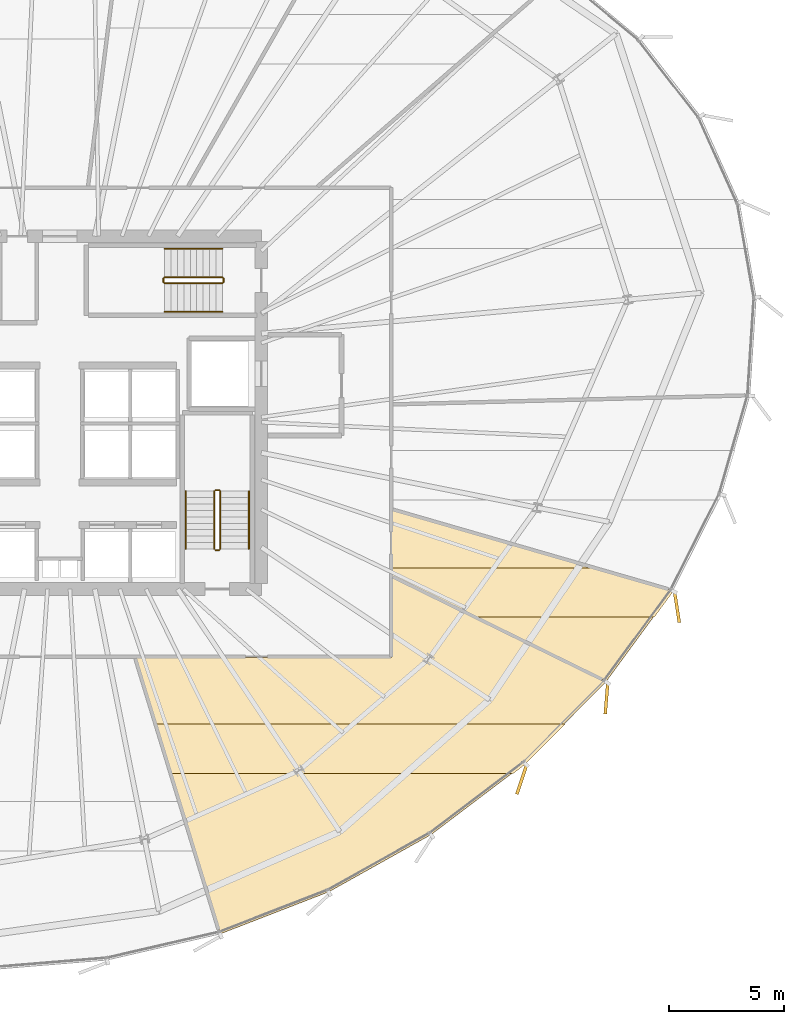
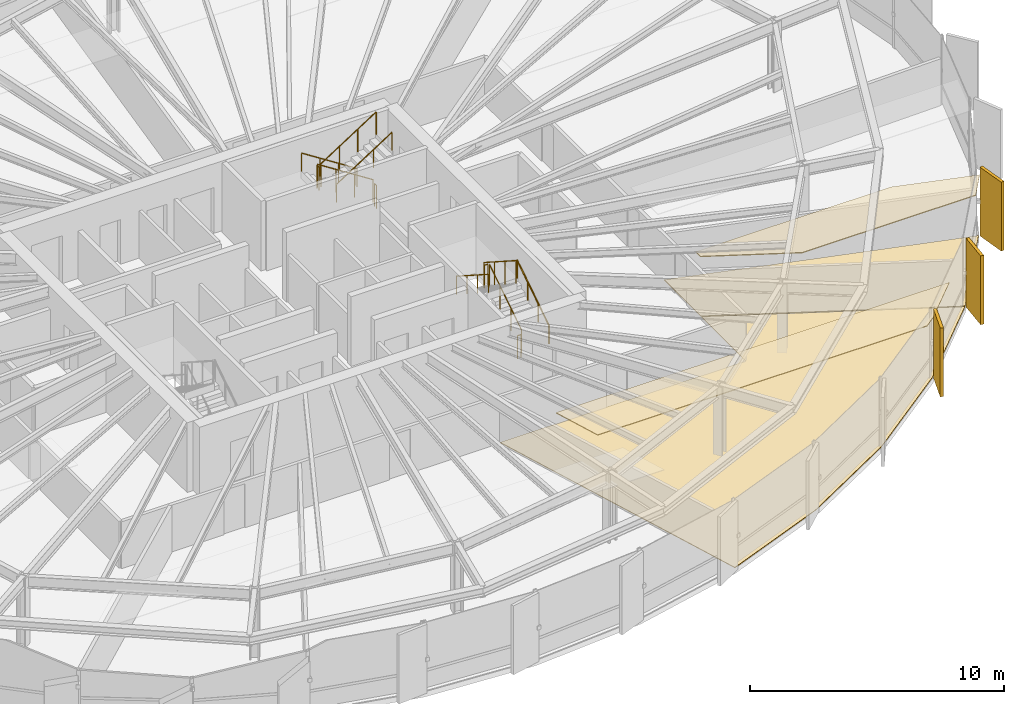
# One storey, part 34 of 35: 12 railings, 7 coverings.
"""IFC4 building model written with IfcOpenShell, lengths in metres."""

from ifc_helpers import new_model, si_unit, direction, frame, origin, origin_2d, place, context, subcontext, project, spatial, polyline, rectangle, circle, outline, extrude, source, transform, mapped, material, layer, layer_set, type_object, element, save


model = new_model("IFC4")

# Units and contexts
model_context = context("Model", 3, precision=1e-05, world=origin(), true_north=direction((0.0, 1.0)))
body_context = subcontext(model_context, "Body", "Model", "MODEL_VIEW")
ifc_project = project(units=[si_unit("LENGTHUNIT", "METRE"), si_unit("AREAUNIT", "SQUARE_METRE"), si_unit("VOLUMEUNIT", "CUBIC_METRE"), si_unit("PLANEANGLEUNIT", "RADIAN"), si_unit("MASSUNIT", "GRAM", prefix="KILO"), si_unit("THERMODYNAMICTEMPERATUREUNIT", "KELVIN")], contexts=[model_context])

# Site, building, storey
site_placement = place(None, origin())
site = spatial("IfcSite", under=ifc_project, at=site_placement, CompositionType="ELEMENT")
building_placement = place(site_placement, origin())
building = spatial("IfcBuilding", under=site, at=building_placement, Name="Kethvar Cultural Tower", CompositionType="ELEMENT")
storey_placement = place(building_placement, frame((0.0, 0.0, 103.60009765625)))
storey = spatial("IfcBuildingStorey", under=building, at=storey_placement, Name="L25", CompositionType="ELEMENT", Elevation=103.60009765625)

# Coverings
ifc_material_1 = material(Name="Acoustic Mineral Fibre Ceiling")
ifc_layer_1 = layer(ifc_material_1, 0.0400390625, Name="Acoustic Mineral Fibre Ceiling")
ifc_layer_set_1 = layer_set([ifc_layer_1], Name="Acoustic Mineral Fibre Ceiling (40 mm)")
covering_type_1 = type_object("IfcCoveringType", Name="CV-ACOUSTIC-CEIL", PredefinedType="CEILING", material=ifc_layer_set_1)
covering_1_placement = place(storey_placement, frame((0.0, 0.0, 2.889892578125)))
element("IfcCovering", 1, at=covering_1_placement, inside=storey, type_object=covering_type_1, Name="L25 Room 03 Acoustic Ceiling Panel", PredefinedType="CEILING", context=body_context, shape_type="SweptSolid", body=[
    extrude(outline(polyline([(67.106689453125, 12.439453125), (66.601318359375, 12.056640625), (51.622314453125, 12.056640625), (50.9609375, 14.20654296875), (68.861083984375, 14.20654296875), (67.106689453125, 12.439453125)])), origin(), (0.0, 0.0, 1.0), 0.0400390625),
])
covering_2_placement = place(storey_placement, frame((0.0, 0.0, 2.889892578125)))
element("IfcCovering", 2, at=covering_2_placement, inside=storey, type_object=covering_type_1, Name="L25 Room 04 Acoustic Ceiling Panel", PredefinedType="CEILING", context=body_context, shape_type="SweptSolid", body=[
    extrude(outline(polyline([(61.26123046875, 20.65087890625), (61.25, 21.027099609375), (70.143798828125, 21.027099609375), (73.5849609375, 20.009521484375), (72.758544921875, 18.877197265625), (64.8603515625, 18.877197265625), (61.26123046875, 20.65087890625)])), origin(), (0.0, 0.0, 1.0), 0.0400390625),
])
ifc_material_2 = material(Name="Honed Warm Limestone", Category="masonry")
ifc_layer_2 = layer(ifc_material_2, 0.030029296875, Name="Honed Warm Limestone", Category="masonry")
ifc_layer_set_2 = layer_set([ifc_layer_2], Name="Honed Warm Limestone (30 mm)")
covering_type_2 = type_object("IfcCoveringType", Name="CV-STONE-FLOOR", PredefinedType="FLOORING", material=ifc_layer_set_2)
covering_3_placement = place(storey_placement, origin())
element("IfcCovering", 3, at=covering_3_placement, inside=storey, type_object=covering_type_2, Name="L25 Room 03 Floor Finish", PredefinedType="FLOORING", context=body_context, shape_type="SweptSolid", body=[
    extrude(outline(polyline([(67.081298828125, 12.470458984375), (63.00390625, 9.380859375), (58.53857421875, 6.883056640625), (53.818603515625, 5.053955078125), (50.1064453125, 17.1201171875), (61.27587890625, 17.120849609375), (61.2900390625, 20.63671875), (70.6220703125, 16.03759765625), (67.081298828125, 12.470458984375)])), origin(), (0.0, 0.0, 1.0), 0.02978515625),
])
covering_4_placement = place(storey_placement, origin())
element("IfcCovering", 4, at=covering_4_placement, inside=storey, type_object=covering_type_2, Name="L25 Room 04 Floor Finish", PredefinedType="FLOORING", context=body_context, shape_type="SweptSolid", body=[
    extrude(outline(polyline([(70.649658203125, 16.068603515625), (61.2900390625, 20.681396484375), (61.2900390625, 23.56201171875), (73.531982421875, 19.99951171875), (70.649658203125, 16.068603515625)])), origin(), (0.0, 0.0, 1.0), 0.02978515625),
])

# Railings
ifc_material_3 = material(Name="Steel S355J2", Category="steel")
railing_type_1 = type_object("IfcRailingType", Name="RL-STAIR-GUARD", PredefinedType="BALUSTRADE", material=ifc_material_3)
railing_1_placement = place(storey_placement, frame((53.81005859375, 21.85009765625, 0.179931640625)))
element("IfcRailing", 5, at=railing_1_placement, inside=storey, type_object=railing_type_1, Name="L25 ST-02 stair guard 1", PredefinedType="BALUSTRADE", context=body_context, shape_type="SweptSolid", body=[
    extrude(circle(Radius=0.02392578125, at=origin_2d()), frame((0.0, 0.0, 1.09619140625), z_axis=(0.0, 0.841199657755, 0.540724639528), x_axis=(-1.0, 0.0, 0.0)), (0.0, 0.0, 1.0), 2.995849609375),
    extrude(circle(Radius=0.02099609375, at=origin_2d()), origin(), (0.0, 0.0, 1.0), 1.072021484375),
    extrude(circle(Radius=0.02099609375, at=origin_2d()), frame((0.0, 0.840087890625, 0.5400390625)), (0.0, 0.0, 1.0), 1.072021484375),
    extrude(circle(Radius=0.02099609375, at=origin_2d()), frame((0.0, 1.679931640625, 1.079833984375)), (0.0, 0.0, 1.0), 1.072021484375),
    extrude(circle(Radius=0.02099609375, at=origin_2d()), frame((0.0, 2.52001953125, 1.619873046875)), (0.0, 0.0, 1.0), 1.072021484375),
])
railing_2_placement = place(storey_placement, frame((53.760009765625, 24.419921875, 1.7998046875)))
element("IfcRailing", 6, at=railing_2_placement, inside=storey, type_object=railing_type_1, Name="L25 ST-02 stair guard 2", PredefinedType="BALUSTRADE", context=body_context, shape_type="SweptSolid", body=[
    extrude(circle(Radius=0.02392578125, at=origin_2d()), frame((0.0, 0.0, 1.09619140625), z_axis=(-1.0, 0.0, 0.0), x_axis=(0.0, -1.0, 0.0)), (0.0, 0.0, 1.0), 0.159912109375),
    extrude(circle(Radius=0.02099609375, at=origin_2d()), origin(), (0.0, 0.0, 1.0), 1.072021484375),
    extrude(circle(Radius=0.02099609375, at=origin_2d()), frame((-0.159912109375, 0.0, 0.0)), (0.0, 0.0, 1.0), 1.072021484375),
])
railing_3_placement = place(storey_placement, frame((53.550048828125, 24.3701171875, 1.97998046875)))
element("IfcRailing", 7, at=railing_3_placement, inside=storey, type_object=railing_type_1, Name="L25 ST-02 stair guard 3", PredefinedType="BALUSTRADE", context=body_context, shape_type="SweptSolid", body=[
    extrude(circle(Radius=0.02392578125, at=origin_2d()), frame((0.0, 0.0, 1.09619140625), z_axis=(0.0, -0.841199657755, 0.540724639528), x_axis=(1.0, 0.0, 0.0)), (0.0, 0.0, 1.0), 2.995849609375),
    extrude(circle(Radius=0.02099609375, at=origin_2d()), origin(), (0.0, 0.0, 1.0), 1.072021484375),
    extrude(circle(Radius=0.02099609375, at=origin_2d()), frame((0.0, -0.840087890625, 0.5400390625)), (0.0, 0.0, 1.0), 1.072021484375),
    extrude(circle(Radius=0.02099609375, at=origin_2d()), frame((0.0, -1.679931640625, 1.079833984375)), (0.0, 0.0, 1.0), 1.072021484375),
    extrude(circle(Radius=0.02099609375, at=origin_2d()), frame((0.0, -2.52001953125, 1.619873046875)), (0.0, 0.0, 1.0), 1.072021484375),
])
railing_4_placement = place(storey_placement, frame((53.760009765625, 21.800048828125, 0.0)))
element("IfcRailing", 8, at=railing_4_placement, inside=storey, type_object=railing_type_1, Name="L25 ST-02 stair guard 4", PredefinedType="BALUSTRADE", context=body_context, shape_type="SweptSolid", body=[
    extrude(circle(Radius=0.02392578125, at=origin_2d()), frame((0.0, 0.0, 1.09619140625), z_axis=(-1.0, 0.0, 0.0), x_axis=(0.0, -1.0, 0.0)), (0.0, 0.0, 1.0), 0.159912109375),
    extrude(circle(Radius=0.02099609375, at=origin_2d()), origin(), (0.0, 0.0, 1.0), 1.072021484375),
    extrude(circle(Radius=0.02099609375, at=origin_2d()), frame((-0.159912109375, 0.0, 0.0)), (0.0, 0.0, 1.0), 1.072021484375),
])
railing_5_placement = place(storey_placement, frame((53.89990234375, 33.7099609375, 0.179931640625)))
element("IfcRailing", 9, at=railing_5_placement, inside=storey, type_object=railing_type_1, Name="L25 ST-03 stair guard 1", PredefinedType="BALUSTRADE", context=body_context, shape_type="SweptSolid", body=[
    extrude(circle(Radius=0.02392578125, at=origin_2d()), frame((0.0, 0.0, 1.09619140625), z_axis=(-0.841199657755, 0.0, 0.540724639528), x_axis=(0.0, -1.0, 0.0)), (0.0, 0.0, 1.0), 2.995849609375),
    extrude(circle(Radius=0.02099609375, at=origin_2d()), origin(), (0.0, 0.0, 1.0), 1.072021484375),
    extrude(circle(Radius=0.02099609375, at=origin_2d()), frame((-0.840087890625, 0.0, 0.5400390625)), (0.0, 0.0, 1.0), 1.072021484375),
    extrude(circle(Radius=0.02099609375, at=origin_2d()), frame((-1.679931640625, 0.0, 1.079833984375)), (0.0, 0.0, 1.0), 1.072021484375),
    extrude(circle(Radius=0.02099609375, at=origin_2d()), frame((-2.52001953125, 0.0, 1.619873046875)), (0.0, 0.0, 1.0), 1.072021484375),
])
railing_6_placement = place(storey_placement, frame((51.330078125, 33.659912109375, 1.7998046875)))
element("IfcRailing", 10, at=railing_6_placement, inside=storey, type_object=railing_type_1, Name="L25 ST-03 stair guard 2", PredefinedType="BALUSTRADE", context=body_context, shape_type="SweptSolid", body=[
    extrude(circle(Radius=0.02392578125, at=origin_2d()), frame((0.0, 0.0, 1.09619140625), z_axis=(0.0, -1.0, 0.0), x_axis=(1.0, 0.0, 0.0)), (0.0, 0.0, 1.0), 0.159912109375),
    extrude(circle(Radius=0.02099609375, at=origin_2d()), origin(), (0.0, 0.0, 1.0), 1.072021484375),
    extrude(circle(Radius=0.02099609375, at=origin_2d()), frame((0.0, -0.159912109375, 0.0)), (0.0, 0.0, 1.0), 1.072021484375),
])
railing_7_placement = place(storey_placement, frame((51.3798828125, 33.449951171875, 1.97998046875)))
element("IfcRailing", 11, at=railing_7_placement, inside=storey, type_object=railing_type_1, Name="L25 ST-03 stair guard 3", PredefinedType="BALUSTRADE", context=body_context, shape_type="SweptSolid", body=[
    extrude(circle(Radius=0.02392578125, at=origin_2d()), frame((0.0, 0.0, 1.09619140625), z_axis=(0.841199657755, 0.0, 0.540724639528), x_axis=(0.0, 1.0, 0.0)), (0.0, 0.0, 1.0), 2.995849609375),
    extrude(circle(Radius=0.02099609375, at=origin_2d()), origin(), (0.0, 0.0, 1.0), 1.072021484375),
    extrude(circle(Radius=0.02099609375, at=origin_2d()), frame((0.840087890625, 0.0, 0.5400390625)), (0.0, 0.0, 1.0), 1.072021484375),
    extrude(circle(Radius=0.02099609375, at=origin_2d()), frame((1.679931640625, 0.0, 1.079833984375)), (0.0, 0.0, 1.0), 1.072021484375),
    extrude(circle(Radius=0.02099609375, at=origin_2d()), frame((2.52001953125, 0.0, 1.619873046875)), (0.0, 0.0, 1.0), 1.072021484375),
])
railing_8_placement = place(storey_placement, frame((53.949951171875, 33.659912109375, 0.0)))
element("IfcRailing", 12, at=railing_8_placement, inside=storey, type_object=railing_type_1, Name="L25 ST-03 stair guard 4", PredefinedType="BALUSTRADE", context=body_context, shape_type="SweptSolid", body=[
    extrude(circle(Radius=0.02392578125, at=origin_2d()), frame((0.0, 0.0, 1.09619140625), z_axis=(0.0, -1.0, 0.0), x_axis=(1.0, 0.0, 0.0)), (0.0, 0.0, 1.0), 0.159912109375),
    extrude(circle(Radius=0.02099609375, at=origin_2d()), origin(), (0.0, 0.0, 1.0), 1.072021484375),
    extrude(circle(Radius=0.02099609375, at=origin_2d()), frame((0.0, -0.159912109375, 0.0)), (0.0, 0.0, 1.0), 1.072021484375),
])
railing_type_2 = type_object("IfcRailingType", Name="RL-STAIR-HANDRAIL", PredefinedType="HANDRAIL", material=ifc_material_3)
railing_9_placement = place(storey_placement, frame((55.06005859375, 21.85009765625, 0.179931640625)))
element("IfcRailing", 13, at=railing_9_placement, inside=storey, type_object=railing_type_2, Name="L25 ST-02 stair handrail 1", PredefinedType="HANDRAIL", context=body_context, shape_type="SweptSolid", body=[
    extrude(circle(Radius=0.02392578125, at=origin_2d()), frame((0.0, 0.0, 0.8759765625), z_axis=(0.0, 0.841199657755, 0.540724639528), x_axis=(-1.0, 0.0, 0.0)), (0.0, 0.0, 1.0), 2.995849609375),
    extrude(circle(Radius=0.02099609375, at=origin_2d()), origin(), (0.0, 0.0, 1.0), 0.851806640625),
    extrude(circle(Radius=0.02099609375, at=origin_2d()), frame((0.0, 0.840087890625, 0.5400390625)), (0.0, 0.0, 1.0), 0.851806640625),
    extrude(circle(Radius=0.02099609375, at=origin_2d()), frame((0.0, 1.679931640625, 1.079833984375)), (0.0, 0.0, 1.0), 0.851806640625),
    extrude(circle(Radius=0.02099609375, at=origin_2d()), frame((0.0, 2.52001953125, 1.619873046875)), (0.0, 0.0, 1.0), 0.851806640625),
])
railing_10_placement = place(storey_placement, frame((52.300048828125, 24.3701171875, 1.97998046875)))
element("IfcRailing", 14, at=railing_10_placement, inside=storey, type_object=railing_type_2, Name="L25 ST-02 stair handrail 2", PredefinedType="HANDRAIL", context=body_context, shape_type="SweptSolid", body=[
    extrude(circle(Radius=0.02392578125, at=origin_2d()), frame((0.0, 0.0, 0.8759765625), z_axis=(0.0, -0.841199657755, 0.540724639528), x_axis=(1.0, 0.0, 0.0)), (0.0, 0.0, 1.0), 2.995849609375),
    extrude(circle(Radius=0.02099609375, at=origin_2d()), origin(), (0.0, 0.0, 1.0), 0.851806640625),
    extrude(circle(Radius=0.02099609375, at=origin_2d()), frame((0.0, -0.840087890625, 0.5400390625)), (0.0, 0.0, 1.0), 0.851806640625),
    extrude(circle(Radius=0.02099609375, at=origin_2d()), frame((0.0, -1.679931640625, 1.079833984375)), (0.0, 0.0, 1.0), 0.851806640625),
    extrude(circle(Radius=0.02099609375, at=origin_2d()), frame((0.0, -2.52001953125, 1.619873046875)), (0.0, 0.0, 1.0), 0.851806640625),
])
railing_11_placement = place(storey_placement, frame((53.89990234375, 34.9599609375, 0.179931640625)))
element("IfcRailing", 15, at=railing_11_placement, inside=storey, type_object=railing_type_2, Name="L25 ST-03 stair handrail 1", PredefinedType="HANDRAIL", context=body_context, shape_type="SweptSolid", body=[
    extrude(circle(Radius=0.02392578125, at=origin_2d()), frame((0.0, 0.0, 0.8759765625), z_axis=(-0.841199657755, 0.0, 0.540724639528), x_axis=(0.0, -1.0, 0.0)), (0.0, 0.0, 1.0), 2.995849609375),
    extrude(circle(Radius=0.02099609375, at=origin_2d()), origin(), (0.0, 0.0, 1.0), 0.851806640625),
    extrude(circle(Radius=0.02099609375, at=origin_2d()), frame((-0.840087890625, 0.0, 0.5400390625)), (0.0, 0.0, 1.0), 0.851806640625),
    extrude(circle(Radius=0.02099609375, at=origin_2d()), frame((-1.679931640625, 0.0, 1.079833984375)), (0.0, 0.0, 1.0), 0.851806640625),
    extrude(circle(Radius=0.02099609375, at=origin_2d()), frame((-2.52001953125, 0.0, 1.619873046875)), (0.0, 0.0, 1.0), 0.851806640625),
])
railing_12_placement = place(storey_placement, frame((51.3798828125, 32.199951171875, 1.97998046875)))
element("IfcRailing", 16, at=railing_12_placement, inside=storey, type_object=railing_type_2, Name="L25 ST-03 stair handrail 2", PredefinedType="HANDRAIL", context=body_context, shape_type="SweptSolid", body=[
    extrude(circle(Radius=0.02392578125, at=origin_2d()), frame((0.0, 0.0, 0.8759765625), z_axis=(0.841199657755, 0.0, 0.540724639528), x_axis=(0.0, 1.0, 0.0)), (0.0, 0.0, 1.0), 2.995849609375),
    extrude(circle(Radius=0.02099609375, at=origin_2d()), origin(), (0.0, 0.0, 1.0), 0.851806640625),
    extrude(circle(Radius=0.02099609375, at=origin_2d()), frame((0.840087890625, 0.0, 0.5400390625)), (0.0, 0.0, 1.0), 0.851806640625),
    extrude(circle(Radius=0.02099609375, at=origin_2d()), frame((1.679931640625, 0.0, 1.079833984375)), (0.0, 0.0, 1.0), 0.851806640625),
    extrude(circle(Radius=0.02099609375, at=origin_2d()), frame((2.52001953125, 0.0, 1.619873046875)), (0.0, 0.0, 1.0), 0.851806640625),
])

# Coverings
ifc_material_4 = material(Name="Extruded Architectural Terracotta", Category="masonry")
ifc_layer_3 = layer(ifc_material_4, 0.135009765625, Name="Extruded Architectural Terracotta", Category="masonry")
ifc_layer_set_3 = layer_set([ifc_layer_3], Name="Extruded Architectural Terracotta (135 mm)")
covering_type_3 = type_object("IfcCoveringType", Name="Terracotta Facade Fin FIN-02", PredefinedType="CLADDING", material=ifc_layer_set_3)
shared_shape = source(origin(), body_context, "Body", "SweptSolid", [
    extrude(rectangle(XDim=1.35009765625, YDim=0.135009765625, at=origin_2d()), origin(), (0.0, 0.0, 1.0), 3.31005859375),
])
for number, where, z_axis, x_axis, name in (
    (17, (66.9658203125, 11.7861328125, 0.019775390625), (0.0, 0.0, 1.0), (-0.315483422034, -0.948931088342, 0.0), "L25 Vertical Terracotta Fin 6.1"),
    (18, (70.665283203125, 15.3232421875, 0.019775390625), (0.0, 0.0, 1.0), (-0.081590611568, -0.996665928034, 0.0), "L25 Vertical Terracotta Fin 6.2"),
    (19, (73.739990234375, 19.3076171875, 0.019775390625), (0.0, 0.0, 1.0), (0.15350325046, -0.988148142789, 0.0), "L25 Vertical Terracotta Fin 6.3"),
):
    element("IfcCovering", number, at=place(storey_placement, frame(where, z_axis=z_axis, x_axis=x_axis)), inside=storey, type_object=covering_type_3, Name=name, PredefinedType="CLADDING", context=body_context, shape_type="MappedRepresentation", body=[
        mapped(shared_shape, transform((0.0, 0.0, 0.0), scale=1.0)),
    ])

save(model, "model.ifc")
